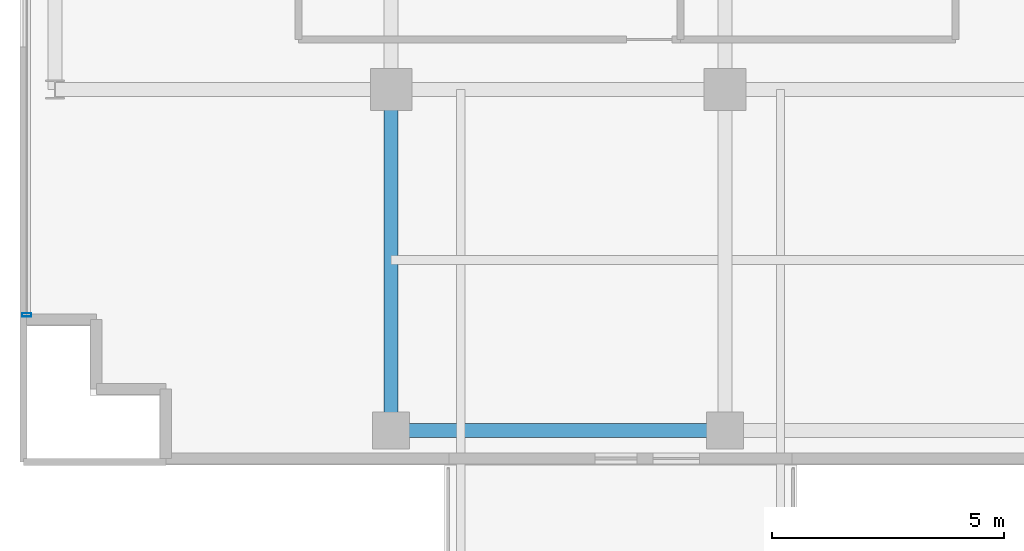
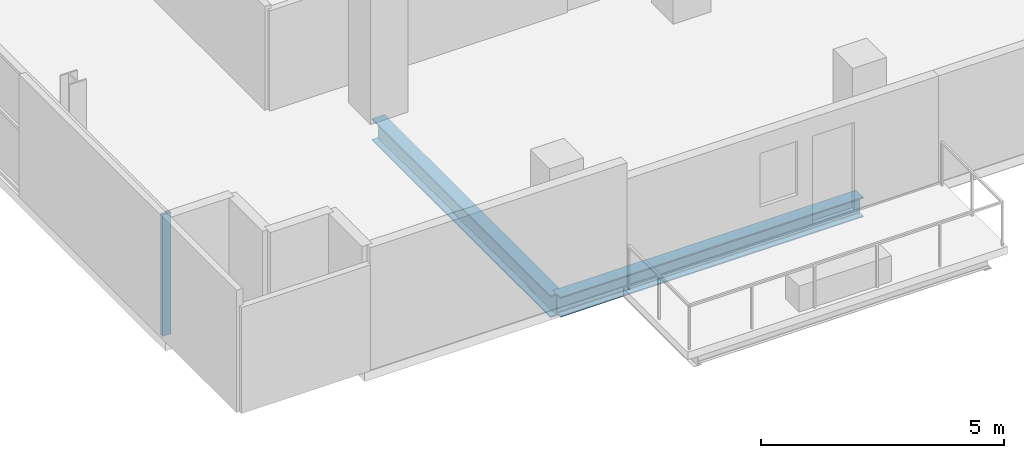
# One storey, part 2 of 25: 2 beams, 1 member, 1 element without a shape of its own.
"""IFC4 building model written with IfcOpenShell, lengths in metres."""

from ifc_helpers import new_model, si_unit, direction, frame, origin, origin_2d, place, context, subcontext, project, spatial, hollow_rectangle, i_section, extrude, source, transform, mapped, material, layer, layer_set, material_profile, profile_set, type_object, element, aggregate, save


model = new_model("IFC4")

# Units and contexts
model_context = context("Model", 3, precision=1e-05, world=origin(), true_north=direction((0.0, 1.0)))
body_context = subcontext(model_context, "Body", "Model", "MODEL_VIEW")
ifc_project = project(units=[si_unit("LENGTHUNIT", "METRE"), si_unit("AREAUNIT", "SQUARE_METRE"), si_unit("VOLUMEUNIT", "CUBIC_METRE"), si_unit("PLANEANGLEUNIT", "RADIAN"), si_unit("MASSUNIT", "GRAM", prefix="KILO")], contexts=[model_context])

# Site, building, storey
site_placement = place(None, origin())
site = spatial("IfcSite", under=ifc_project, at=site_placement, CompositionType="ELEMENT")
building_placement = place(site_placement, origin())
building = spatial("IfcBuilding", under=site, at=building_placement, Name="Zarnakvel Exchange Tower", CompositionType="ELEMENT")
storey_placement = place(building_placement, frame((0.0, 0.0, 93.39990234375)))
storey = spatial("IfcBuildingStorey", under=building, at=storey_placement, Name="L25", CompositionType="ELEMENT", Elevation=93.39990234375)

# Beams
ifc_material_1 = material(Name="Steel S355", Category="steel")
ifc_material_profile_1 = material_profile(ifc_material_1, i_section(OverallWidth=0.300048828125, OverallDepth=0.550048828125, WebThickness=0.014892578125, FlangeThickness=0.029052734375, FilletRadius=0.027099609375, at=origin_2d()))
ifc_profile_set_1 = profile_set([ifc_material_profile_1], Name="Steel S355")
beam_type_1 = type_object("IfcBeamType", Name="G-05", PredefinedType="BEAM", material=ifc_profile_set_1)
beam_1_placement = place(storey_placement, frame((-21.60009765625, -16.949951171875, -0.5), z_axis=(0.0, 1.0, 0.0), x_axis=(-1.0, 0.0, 0.0)))
element("IfcBeam", 1, at=beam_1_placement, inside=storey, type_object=beam_type_1, Name="L25 Tower N-S Frame Beam", PredefinedType="BEAM", context=body_context, shape_type="SweptSolid", body=[
    extrude(i_section(OverallWidth=0.300048828125, OverallDepth=0.550048828125, WebThickness=0.014892578125, FlangeThickness=0.029052734375, FilletRadius=0.027099609375, at=origin_2d()), origin(), (0.0, 0.0, 1.0), 7.349853515625),
])
ifc_material_profile_2 = material_profile(ifc_material_1, i_section(OverallWidth=0.300048828125, OverallDepth=0.5, WebThickness=0.014404296875, FlangeThickness=0.028076171875, FilletRadius=0.027099609375, at=origin_2d()))
ifc_profile_set_2 = profile_set([ifc_material_profile_2], Name="Steel S355")
beam_type_2 = type_object("IfcBeamType", Name="SP-02", PredefinedType="SPANDREL", material=ifc_profile_set_2)
beam_2_placement = place(storey_placement, frame((-21.60009765625, -16.949951171875, -0.474853515625), z_axis=(1.0, 0.0, 0.0), x_axis=(0.0, 1.0, 0.0)))
element("IfcBeam", 2, at=beam_2_placement, inside=storey, type_object=beam_type_2, Name="L25 Tower E-W Frame Beam", PredefinedType="SPANDREL", context=body_context, shape_type="SweptSolid", body=[
    extrude(i_section(OverallWidth=0.300048828125, OverallDepth=0.5, WebThickness=0.014404296875, FlangeThickness=0.028076171875, FilletRadius=0.027099609375, at=origin_2d()), origin(), (0.0, 0.0, 1.0), 7.2001953125),
])

# Curtain wall, member
ifc_material_2 = material(Name="Architectural Bronze Anodised Aluminium", Category="aluminium")
ifc_layer = layer(ifc_material_2, 0.199951171875)
ifc_layer_set = layer_set([ifc_layer], Name="Architectural Bronze Anodised Aluminium")
curtain_wall_type = type_object("IfcCurtainWallType", Name="CW-04", PredefinedType="NOTDEFINED", material=ifc_layer_set)
curtain_wall_placement = place(storey_placement, origin())
curtain_wall = element("IfcCurtainWall", 3, at=curtain_wall_placement, inside=storey, type_object=curtain_wall_type, Name="L25 Curtain Wall CW-L25-W1 (CW-04)", PredefinedType="NOTDEFINED")
ifc_material_profile_3 = material_profile(ifc_material_2, hollow_rectangle(XDim=0.199951171875, YDim=0.074951171875, WallThickness=0.0048828125, at=origin_2d()))
ifc_profile_set_3 = profile_set([ifc_material_profile_3], Name="Architectural Bronze Anodised Aluminium")
member_type = type_object("IfcMemberType", Name="CWM-04", PredefinedType="MULLION", material=ifc_profile_set_3)
shared_shape = source(origin(), body_context, "Body", "SweptSolid", [
    extrude(hollow_rectangle(XDim=0.199951171875, YDim=0.074951171875, WallThickness=0.0048828125, at=origin_2d()), origin(), (0.0, 0.0, 1.0), 3.05517578125),
])
member_placement = place(storey_placement, frame((-29.4599609375, -14.46240234375, 0.0), z_axis=(0.0, 0.0, 1.0), x_axis=(-1.0, 0.0, 0.0)))
member = element("IfcMember", 4, at=member_placement, type_object=member_type, Name="CW-04 mullion 1", PredefinedType="MULLION", context=body_context, shape_type="MappedRepresentation", body=[
    mapped(shared_shape, transform((0.0, 0.0, 0.0), x_axis=(1.0, 0.0, 0.0), y_axis=(0.0, 1.0, 0.0), z_axis=(0.0, 0.0, 1.0), scale=1.0)),
])
aggregate(curtain_wall, [member])

save(model, "model.ifc")
